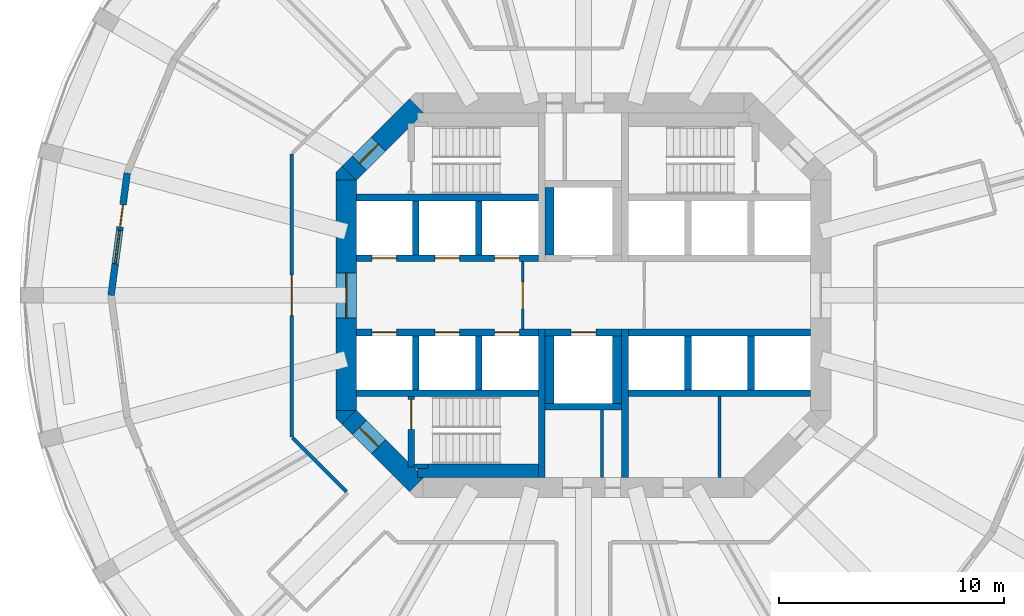
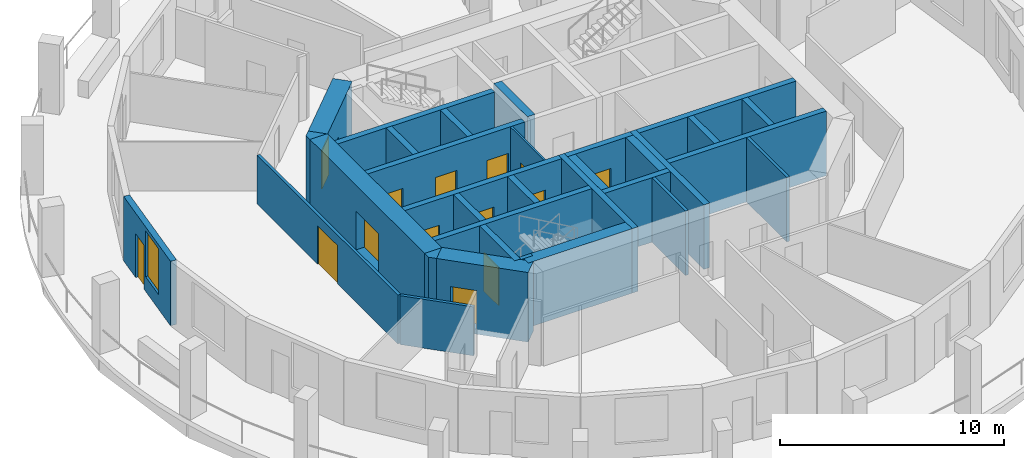
# One storey, part 3 of 8: 33 walls, 14 doors, 1 window, 15 openings.
"""IFC4 building model written with IfcOpenShell, lengths in metres."""

from ifc_helpers import new_model, si_unit, direction, frame, frame_2d, origin, place, context, subcontext, project, spatial, polyline, rectangle, outline, extrude, material, layer, layer_set, type_object, element, fill, save


model = new_model("IFC4")

# Units and contexts
model_context = context("Model", 3, precision=1e-05, world=origin(), true_north=direction((0.0, 1.0)))
body_context = subcontext(model_context, "Body", "Model", "MODEL_VIEW")
ifc_project = project(units=[si_unit("LENGTHUNIT", "METRE"), si_unit("AREAUNIT", "SQUARE_METRE"), si_unit("VOLUMEUNIT", "CUBIC_METRE"), si_unit("PLANEANGLEUNIT", "RADIAN"), si_unit("MASSUNIT", "GRAM", prefix="KILO")], contexts=[model_context])

# Site, building, storey
site_placement = place(None, origin())
site = spatial("IfcSite", under=ifc_project, at=site_placement, CompositionType="ELEMENT")
building_placement = place(site_placement, origin())
building = spatial("IfcBuilding", under=site, at=building_placement, Name="Torre Triforio", CompositionType="ELEMENT")
storey_placement = place(building_placement, frame((0.0, 0.0, 127.60009765625)))
storey = spatial("IfcBuildingStorey", under=building, at=storey_placement, Name="L28", CompositionType="ELEMENT", Elevation=127.60009765625)

# Walls
ifc_material_1 = material(Name="Concrete C60", Category="concrete")
ifc_layer_1 = layer(ifc_material_1, 0.300048828125)
ifc_layer_set_1 = layer_set([ifc_layer_1], Name="Concrete C60")
wall_type_1 = type_object("IfcWallType", Name="Core wall 300 mm C60 EI 120", PredefinedType="SHEAR", material=ifc_layer_set_1)
for number, where, z_axis, x_axis, name in (
    (1, (-1.85009765625, -8.10009765625, 0.0), (0.0, 0.0, 1.0), (0.0, 1.0, 0.0), "Core wall"),
    (2, (1.85009765625, -8.10009765625, 0.0), (0.0, 0.0, 1.0), (0.0, 1.0, 0.0), "Core wall"),
):
    element("IfcWall", number, at=place(storey_placement, frame(where, z_axis=z_axis, x_axis=x_axis)), inside=storey, type_object=wall_type_1, Name=name, PredefinedType="SHEAR", context=body_context, shape_type="SweptSolid", body=[
        extrude(rectangle(XDim=6.60009765625, YDim=0.300048828125, at=frame_2d((3.300048828125, 0.0))), origin(), (0.0, 0.0, 1.0), 3.52001953125),
    ])

# Wall, opening, door
ifc_layer_2 = layer(ifc_material_1, 0.89990234375)
ifc_layer_set_2 = layer_set([ifc_layer_2], Name="Concrete C60")
wall_type_2 = type_object("IfcWallType", Name="Core wall 900 mm C60 EI 120", PredefinedType="SHEAR", material=ifc_layer_set_2)
wall_1_placement = place(storey_placement, frame((-10.550048828125, -5.1298828125, -0.280029296875), z_axis=(0.0, 0.0, 1.0), x_axis=(0.0, 1.0, 0.0)))
wall_1 = element("IfcWall", 3, at=wall_1_placement, inside=storey, type_object=wall_type_2, Name="Core wall", PredefinedType="SHEAR", context=body_context, shape_type="SweptSolid", body=[
    extrude(rectangle(XDim=10.259765625, YDim=0.89990234375, at=frame_2d((5.1298828125, 0.0))), origin(), (0.0, 0.0, 1.0), 3.800048828125),
])
opening_1_placement = place(wall_1_placement, frame((4.1298828125, 0.0, 0.280029296875)))
opening_1 = element("IfcOpeningElement", 4, at=opening_1_placement, cuts=wall_1, Name="Opening W-RING", PredefinedType="OPENING", context=body_context, shape_type="SweptSolid", body=[
    extrude(rectangle(XDim=2.0, YDim=2.10009765625, at=frame_2d((1.0, 1.050048828125))), frame((0.0, 0.4599609375, 0.0), z_axis=(0.0, -1.0, 0.0), x_axis=(1.0, 0.0, 0.0)), (0.0, 0.0, 1.0), 0.919921875),
])
ifc_material_2 = material(Name="Hollow metal fire door leaf")
door_type_1 = type_object("IfcDoorType", Name="Lobby door 2000 x 2100 EI 60", OperationType="DOUBLE_DOOR_SINGLE_SWING", PredefinedType="DOOR", material=ifc_material_2)
door_1_placement = place(opening_1_placement, origin())
door_1 = element("IfcDoor", 5, at=door_1_placement, inside=storey, type_object=door_type_1, Name="Core door W-RING", OperationType="DOUBLE_DOOR_SINGLE_SWING", OverallHeight=2.10009765625, OverallWidth=2.0, PredefinedType="DOOR", context=body_context, shape_type="SweptSolid", body=[
    extrude(rectangle(XDim=2.0, YDim=2.10009765625, at=frame_2d((1.0, 1.050048828125))), frame((0.0, 0.02490234375, 0.0), z_axis=(0.0, -1.0, 0.0), x_axis=(1.0, 0.0, 0.0)), (0.0, 0.0, 1.0), 0.050048828125),
])
fill(opening_1, door_1)

wall_2_placement = place(storey_placement, frame((-10.418212890625, 5.418212890625, -0.280029296875), z_axis=(0.0, 0.0, 1.0), x_axis=(0.707106781187, 0.707106781187, 0.0)))
wall_2 = element("IfcWall", 6, at=wall_2_placement, inside=storey, type_object=wall_type_2, Name="Core wall", PredefinedType="SHEAR", context=body_context, shape_type="SweptSolid", body=[
    extrude(rectangle(XDim=4.24267578125, YDim=0.89990234375, at=frame_2d((2.121337890625, 0.0))), origin(), (0.0, 0.0, 1.0), 3.800048828125),
])
opening_2_placement = place(wall_2_placement, frame((0.64990234375, 0.0, 0.280029296875)))
opening_2 = element("IfcOpeningElement", 7, at=opening_2_placement, cuts=wall_2, Name="Opening ST1-EXIT", PredefinedType="OPENING", context=body_context, shape_type="SweptSolid", body=[
    extrude(rectangle(XDim=1.199951171875, YDim=2.10009765625, at=frame_2d((0.60009765625, 1.050048828125))), frame((0.0, 0.4599609375, 0.0), z_axis=(0.0, -1.0, 0.0), x_axis=(1.0, 0.0, 0.0)), (0.0, 0.0, 1.0), 0.919921875),
])
door_type_2 = type_object("IfcDoorType", Name="Stair lobby door 1200 x 2100 EI 60", OperationType="NOTDEFINED", PredefinedType="DOOR", material=ifc_material_2)
door_2_placement = place(opening_2_placement, origin())
door_2 = element("IfcDoor", 8, at=door_2_placement, inside=storey, type_object=door_type_2, Name="Core door ST1-EXIT", OperationType="SINGLE_SWING_RIGHT", OverallHeight=2.10009765625, OverallWidth=1.199951171875, PredefinedType="DOOR", context=body_context, shape_type="SweptSolid", body=[
    extrude(rectangle(XDim=1.199951171875, YDim=2.10009765625, at=frame_2d((0.60009765625, 1.050048828125))), frame((0.0, 0.02490234375, 0.0), z_axis=(0.0, -1.0, 0.0), x_axis=(1.0, 0.0, 0.0)), (0.0, 0.0, 1.0), 0.050048828125),
])
fill(opening_2, door_2)

wall_3_placement = place(storey_placement, frame((-7.418212890625, -8.418212890625, -0.280029296875), z_axis=(0.0, 0.0, 1.0), x_axis=(-0.707106781187, 0.707106781187, 0.0)))
wall_3 = element("IfcWall", 9, at=wall_3_placement, inside=storey, type_object=wall_type_2, Name="Core wall", PredefinedType="SHEAR", context=body_context, shape_type="SweptSolid", body=[
    extrude(rectangle(XDim=4.24267578125, YDim=0.89990234375, at=frame_2d((2.121337890625, 0.0))), origin(), (0.0, 0.0, 1.0), 3.800048828125),
])
opening_3_placement = place(wall_3_placement, frame((2.392578125, 0.0, 0.280029296875)))
opening_3 = element("IfcOpeningElement", 10, at=opening_3_placement, cuts=wall_3, Name="Opening ST3-EXIT", PredefinedType="OPENING", context=body_context, shape_type="SweptSolid", body=[
    extrude(rectangle(XDim=1.199951171875, YDim=2.10009765625, at=frame_2d((0.60009765625, 1.050048828125))), frame((0.0, 0.4599609375, 0.0), z_axis=(0.0, -1.0, 0.0), x_axis=(1.0, 0.0, 0.0)), (0.0, 0.0, 1.0), 0.919921875),
])
door_3_placement = place(opening_3_placement, origin())
door_3 = element("IfcDoor", 11, at=door_3_placement, inside=storey, type_object=door_type_2, Name="Core door ST3-EXIT", OperationType="SINGLE_SWING_RIGHT", OverallHeight=2.10009765625, OverallWidth=1.199951171875, PredefinedType="DOOR", context=body_context, shape_type="SweptSolid", body=[
    extrude(rectangle(XDim=1.199951171875, YDim=2.10009765625, at=frame_2d((0.60009765625, 1.050048828125))), frame((0.0, 0.02490234375, 0.0), z_axis=(0.0, -1.0, 0.0), x_axis=(1.0, 0.0, 0.0)), (0.0, 0.0, 1.0), 0.050048828125),
])
fill(opening_3, door_3)

# Walls
wall_4_placement = place(storey_placement, frame((0.0, 0.0, -0.280029296875)))
element("IfcWall", 12, at=wall_4_placement, inside=storey, type_object=wall_type_2, Name="Core wall", PredefinedType="SHEAR", context=body_context, shape_type="SweptSolid", body=[
    extrude(outline(polyline([(-11.0, -5.472900390625), (-11.0, -5.1298828125), (-10.1298828125, -5.1298828125), (-10.736328125, -5.736328125), (-11.0, -5.472900390625)])), origin(), (0.0, 0.0, 1.0), 3.800048828125),
])
wall_5_placement = place(storey_placement, frame((0.0, 0.0, -0.280029296875)))
element("IfcWall", 13, at=wall_5_placement, inside=storey, type_object=wall_type_2, Name="Core wall", PredefinedType="SHEAR", context=body_context, shape_type="SweptSolid", body=[
    extrude(outline(polyline([(-10.736328125, 5.736328125), (-10.1298828125, 5.1298828125), (-11.0, 5.1298828125), (-11.0, 5.472900390625), (-10.736328125, 5.736328125)])), origin(), (0.0, 0.0, 1.0), 3.800048828125),
])
ifc_material_3 = material(Name="Plasterboard on metal studs")
ifc_layer_3 = layer(ifc_material_3, 0.14990234375)
ifc_layer_set_3 = layer_set([ifc_layer_3], Name="Plasterboard on metal studs")
wall_type_3 = type_object("IfcWallType", Name="Corridor and tenancy wall 150 mm EI 60", PredefinedType="PARTITIONING", material=ifc_layer_set_3)
wall_6_placement = place(storey_placement, frame((-10.534423828125, -8.7314453125, 0.0), z_axis=(0.0, 0.0, 1.0), x_axis=(-0.707106781187, 0.707106781187, 0.0)))
element("IfcWall", 14, at=wall_6_placement, inside=storey, type_object=wall_type_3, Name="Partition 3", PredefinedType="PARTITIONING", context=body_context, shape_type="SweptSolid", body=[
    extrude(rectangle(XDim=3.399169921875, YDim=0.14990234375, at=frame_2d((1.69970703125, 0.0))), origin(), (0.0, 0.0, 1.0), 2.669921875),
])

# Wall, opening, door
wall_7_placement = place(storey_placement, frame((-12.97509765625, -6.291015625, 0.0), z_axis=(0.0, 0.0, 1.0), x_axis=(0.0, 1.0, 0.0)))
wall_7 = element("IfcWall", 15, at=wall_7_placement, inside=storey, type_object=wall_type_3, Name="Partition 4", PredefinedType="PARTITIONING", context=body_context, shape_type="SweptSolid", body=[
    extrude(rectangle(XDim=12.58203125, YDim=0.14990234375, at=frame_2d((6.291015625, 0.0))), origin(), (0.0, 0.0, 1.0), 2.669921875),
])
opening_4_placement = place(wall_7_placement, frame((5.390869140625, 0.0, 0.0)))
opening_4 = element("IfcOpeningElement", 16, at=opening_4_placement, cuts=wall_7, Name="Opening D2-01", PredefinedType="OPENING", context=body_context, shape_type="SweptSolid", body=[
    extrude(rectangle(XDim=1.800048828125, YDim=2.10009765625, at=frame_2d((0.89990234375, 1.050048828125))), frame((0.0, 0.0849609375, 0.0), z_axis=(0.0, -1.0, 0.0), x_axis=(1.0, 0.0, 0.0)), (0.0, 0.0, 1.0), 0.169921875),
])
ifc_material_4 = material(Name="Timber", Category="wood")
door_type_3 = type_object("IfcDoorType", Name="Door 1800 x 2100 double leaf EI 30", OperationType="DOUBLE_DOOR_SINGLE_SWING", PredefinedType="DOOR", material=ifc_material_4)
door_4_placement = place(opening_4_placement, origin())
door_4 = element("IfcDoor", 17, at=door_4_placement, inside=storey, type_object=door_type_3, Name="Door D2-01", OperationType="DOUBLE_DOOR_SINGLE_SWING", OverallHeight=2.10009765625, OverallWidth=1.800048828125, PredefinedType="DOOR", context=body_context, shape_type="SweptSolid", body=[
    extrude(rectangle(XDim=1.800048828125, YDim=2.10009765625, at=frame_2d((0.89990234375, 1.050048828125))), frame((0.0, 0.02490234375, 0.0), z_axis=(0.0, -1.0, 0.0), x_axis=(1.0, 0.0, 0.0)), (0.0, 0.0, 1.0), 0.050048828125),
])
fill(opening_4, door_4)

ifc_material_5 = material(Name="Block and board partition")
ifc_layer_4 = layer(ifc_material_5, 0.10009765625)
ifc_layer_set_4 = layer_set([ifc_layer_4], Name="Block and board partition")
wall_type_4 = type_object("IfcWallType", Name="Partition 100 mm EI 120", PredefinedType="PARTITIONING", material=ifc_layer_set_4)
wall_8_placement = place(storey_placement, frame((-2.699951171875, -1.5, 0.0), z_axis=(0.0, 0.0, 1.0), x_axis=(0.0, 1.0, 0.0)))
wall_8 = element("IfcWall", 18, at=wall_8_placement, inside=storey, type_object=wall_type_4, Name="Partition", PredefinedType="PARTITIONING", context=body_context, shape_type="SweptSolid", body=[
    extrude(rectangle(XDim=3.0, YDim=0.10009765625, at=frame_2d((1.5, 0.0))), origin(), (0.0, 0.0, 1.0), 3.52001953125),
])
opening_5_placement = place(wall_8_placement, frame((0.89990234375, 0.0, 0.0)))
opening_5 = element("IfcOpeningElement", 19, at=opening_5_placement, cuts=wall_8, Name="Opening FF-W", PredefinedType="OPENING", context=body_context, shape_type="SweptSolid", body=[
    extrude(rectangle(XDim=1.199951171875, YDim=2.10009765625, at=frame_2d((0.60009765625, 1.050048828125))), frame((0.0, 0.06005859375, 0.0), z_axis=(0.0, -1.0, 0.0), x_axis=(1.0, 0.0, 0.0)), (0.0, 0.0, 1.0), 0.1201171875),
])
door_type_4 = type_object("IfcDoorType", Name="Fire-fighting lobby door 1200 x 2100 EI 60", OperationType="NOTDEFINED", PredefinedType="DOOR", material=ifc_material_2)
door_5_placement = place(opening_5_placement, origin())
door_5 = element("IfcDoor", 20, at=door_5_placement, inside=storey, type_object=door_type_4, Name="Core door FF-W", OperationType="SINGLE_SWING_RIGHT", OverallHeight=2.10009765625, OverallWidth=1.199951171875, PredefinedType="DOOR", context=body_context, shape_type="SweptSolid", body=[
    extrude(rectangle(XDim=1.199951171875, YDim=2.10009765625, at=frame_2d((0.60009765625, 1.050048828125))), frame((0.0, 0.02490234375, 0.0), z_axis=(0.0, -1.0, 0.0), x_axis=(1.0, 0.0, 0.0)), (0.0, 0.0, 1.0), 0.050048828125),
])
fill(opening_5, door_5)

# Walls
ifc_layer_5 = layer(ifc_material_5, 0.14990234375)
ifc_layer_set_5 = layer_set([ifc_layer_5], Name="Block and board partition")
wall_type_5 = type_object("IfcWallType", Name="Partition 150 mm", PredefinedType="PARTITIONING", material=ifc_layer_set_5)
wall_9_placement = place(storey_placement, frame((6.050048828125, -8.10009765625, 0.0), z_axis=(0.0, 0.0, 1.0), x_axis=(0.0, 1.0, 0.0)))
element("IfcWall", 21, at=wall_9_placement, inside=storey, type_object=wall_type_5, Name="Partition", PredefinedType="PARTITIONING", context=body_context, shape_type="SweptSolid", body=[
    extrude(rectangle(XDim=3.60009765625, YDim=0.14990234375, at=frame_2d((1.800048828125, 0.0))), origin(), (0.0, 0.0, 1.0), 3.52001953125),
])
ifc_layer_6 = layer(ifc_material_5, 0.14990234375)
ifc_layer_set_6 = layer_set([ifc_layer_6], Name="Block and board partition")
wall_type_6 = type_object("IfcWallType", Name="Partition 150 mm EI 120", PredefinedType="PARTITIONING", material=ifc_layer_set_6)
wall_10_placement = place(storey_placement, frame((0.824951171875, -8.10009765625, 0.0), z_axis=(0.0, 0.0, 1.0), x_axis=(0.0, 1.0, 0.0)))
element("IfcWall", 22, at=wall_10_placement, inside=storey, type_object=wall_type_6, Name="Partition", PredefinedType="PARTITIONING", context=body_context, shape_type="SweptSolid", body=[
    extrude(rectangle(XDim=3.0, YDim=0.14990234375, at=frame_2d((1.5, 0.0))), origin(), (0.0, 0.0, 1.0), 3.52001953125),
])
ifc_layer_7 = layer(ifc_material_1, 0.300048828125)
ifc_layer_set_7 = layer_set([ifc_layer_7], Name="Concrete C60")
wall_type_7 = type_object("IfcWallType", Name="Shaft wall 300 mm C60 EI 120", PredefinedType="SOLIDWALL", material=ifc_layer_set_7)
for number, where, z_axis, x_axis, name in (
    (23, (-10.10009765625, 4.35009765625, 0.0), (0.0, 0.0, 1.0), (1.0, 0.0, 0.0), "Shaft wall"),
    (24, (-10.10009765625, -4.35009765625, 0.0), (0.0, 0.0, 1.0), (1.0, 0.0, 0.0), "Shaft wall"),
    (25, (2.0, -4.35009765625, 0.0), (0.0, 0.0, 1.0), (1.0, 0.0, 0.0), "Shaft wall"),
):
    element("IfcWall", number, at=place(storey_placement, frame(where, z_axis=z_axis, x_axis=x_axis)), inside=storey, type_object=wall_type_7, Name=name, PredefinedType="SOLIDWALL", context=body_context, shape_type="SweptSolid", body=[
        extrude(rectangle(XDim=8.10009765625, YDim=0.300048828125, at=frame_2d((4.050048828125, 0.0))), origin(), (0.0, 0.0, 1.0), 3.52001953125),
    ])

# Wall, openings, doors
wall_11_placement = place(storey_placement, frame((-10.10009765625, 1.64990234375, 0.0), z_axis=(0.0, 0.0, 1.0), x_axis=(1.0, 0.0, 0.0)))
wall_11 = element("IfcWall", 26, at=wall_11_placement, inside=storey, type_object=wall_type_7, Name="Shaft wall", PredefinedType="SOLIDWALL", context=body_context, shape_type="SweptSolid", body=[
    extrude(rectangle(XDim=8.10009765625, YDim=0.300048828125, at=frame_2d((4.050048828125, 0.0))), origin(), (0.0, 0.0, 1.0), 3.52001953125),
])
opening_6_placement = place(wall_11_placement, frame((0.699951171875, 0.0, 0.0)))
opening_6 = element("IfcOpeningElement", 27, at=opening_6_placement, cuts=wall_11, Name="Opening LD", PredefinedType="OPENING", context=body_context, shape_type="SweptSolid", body=[
    extrude(rectangle(XDim=1.10009765625, YDim=2.10009765625, at=frame_2d((0.550048828125, 1.050048828125))), frame((0.0, 0.159912109375, 0.0), z_axis=(0.0, -1.0, 0.0), x_axis=(1.0, 0.0, 0.0)), (0.0, 0.0, 1.0), 0.320068359375),
])
opening_7_placement = place(wall_11_placement, frame((3.5, 0.0, 0.0)))
opening_7 = element("IfcOpeningElement", 28, at=opening_7_placement, cuts=wall_11, Name="Opening LD", PredefinedType="OPENING", context=body_context, shape_type="SweptSolid", body=[
    extrude(rectangle(XDim=1.10009765625, YDim=2.10009765625, at=frame_2d((0.550048828125, 1.050048828125))), frame((0.0, 0.159912109375, 0.0), z_axis=(0.0, -1.0, 0.0), x_axis=(1.0, 0.0, 0.0)), (0.0, 0.0, 1.0), 0.320068359375),
])
opening_8_placement = place(wall_11_placement, frame((6.14990234375, 0.0, 0.0)))
opening_8 = element("IfcOpeningElement", 29, at=opening_8_placement, cuts=wall_11, Name="Opening LD", PredefinedType="OPENING", context=body_context, shape_type="SweptSolid", body=[
    extrude(rectangle(XDim=1.10009765625, YDim=2.10009765625, at=frame_2d((0.550048828125, 1.050048828125))), frame((0.0, 0.159912109375, 0.0), z_axis=(0.0, -1.0, 0.0), x_axis=(1.0, 0.0, 0.0)), (0.0, 0.0, 1.0), 0.320068359375),
])
door_type_5 = type_object("IfcDoorType", Name="Landing door 1100 x 2100 EI 60", OperationType="DOUBLE_DOOR_SLIDING", PredefinedType="DOOR", material=ifc_material_2)
door_6_placement = place(opening_6_placement, origin())
door_6 = element("IfcDoor", 30, at=door_6_placement, inside=storey, type_object=door_type_5, Name="Landing door LR1", OperationType="DOUBLE_DOOR_SLIDING", OverallHeight=2.10009765625, OverallWidth=1.10009765625, PredefinedType="DOOR", context=body_context, shape_type="SweptSolid", body=[
    extrude(rectangle(XDim=1.10009765625, YDim=2.10009765625, at=frame_2d((0.550048828125, 1.050048828125))), frame((0.0, 0.02490234375, 0.0), z_axis=(0.0, -1.0, 0.0), x_axis=(1.0, 0.0, 0.0)), (0.0, 0.0, 1.0), 0.050048828125),
])
fill(opening_6, door_6)
door_7_placement = place(opening_7_placement, origin())
door_7 = element("IfcDoor", 31, at=door_7_placement, inside=storey, type_object=door_type_5, Name="Landing door LR2", OperationType="DOUBLE_DOOR_SLIDING", OverallHeight=2.10009765625, OverallWidth=1.10009765625, PredefinedType="DOOR", context=body_context, shape_type="SweptSolid", body=[
    extrude(rectangle(XDim=1.10009765625, YDim=2.10009765625, at=frame_2d((0.550048828125, 1.050048828125))), frame((0.0, 0.02490234375, 0.0), z_axis=(0.0, -1.0, 0.0), x_axis=(1.0, 0.0, 0.0)), (0.0, 0.0, 1.0), 0.050048828125),
])
fill(opening_7, door_7)
door_8_placement = place(opening_8_placement, origin())
door_8 = element("IfcDoor", 32, at=door_8_placement, inside=storey, type_object=door_type_5, Name="Landing door LR3", OperationType="DOUBLE_DOOR_SLIDING", OverallHeight=2.10009765625, OverallWidth=1.10009765625, PredefinedType="DOOR", context=body_context, shape_type="SweptSolid", body=[
    extrude(rectangle(XDim=1.10009765625, YDim=2.10009765625, at=frame_2d((0.550048828125, 1.050048828125))), frame((0.0, 0.02490234375, 0.0), z_axis=(0.0, -1.0, 0.0), x_axis=(1.0, 0.0, 0.0)), (0.0, 0.0, 1.0), 0.050048828125),
])
fill(opening_8, door_8)

wall_12_placement = place(storey_placement, frame((-10.10009765625, -1.64990234375, 0.0), z_axis=(0.0, 0.0, 1.0), x_axis=(1.0, 0.0, 0.0)))
wall_12 = element("IfcWall", 33, at=wall_12_placement, inside=storey, type_object=wall_type_7, Name="Shaft wall", PredefinedType="SOLIDWALL", context=body_context, shape_type="SweptSolid", body=[
    extrude(rectangle(XDim=8.10009765625, YDim=0.300048828125, at=frame_2d((4.050048828125, 0.0))), origin(), (0.0, 0.0, 1.0), 3.52001953125),
])
opening_9_placement = place(wall_12_placement, frame((0.699951171875, 0.0, 0.0)))
opening_9 = element("IfcOpeningElement", 34, at=opening_9_placement, cuts=wall_12, Name="Opening LD", PredefinedType="OPENING", context=body_context, shape_type="SweptSolid", body=[
    extrude(rectangle(XDim=1.10009765625, YDim=2.10009765625, at=frame_2d((0.550048828125, 1.050048828125))), frame((0.0, 0.159912109375, 0.0), z_axis=(0.0, -1.0, 0.0), x_axis=(1.0, 0.0, 0.0)), (0.0, 0.0, 1.0), 0.320068359375),
])
opening_10_placement = place(wall_12_placement, frame((3.5, 0.0, 0.0)))
opening_10 = element("IfcOpeningElement", 35, at=opening_10_placement, cuts=wall_12, Name="Opening LD", PredefinedType="OPENING", context=body_context, shape_type="SweptSolid", body=[
    extrude(rectangle(XDim=1.10009765625, YDim=2.10009765625, at=frame_2d((0.550048828125, 1.050048828125))), frame((0.0, 0.159912109375, 0.0), z_axis=(0.0, -1.0, 0.0), x_axis=(1.0, 0.0, 0.0)), (0.0, 0.0, 1.0), 0.320068359375),
])
opening_11_placement = place(wall_12_placement, frame((6.14990234375, 0.0, 0.0)))
opening_11 = element("IfcOpeningElement", 36, at=opening_11_placement, cuts=wall_12, Name="Opening LD", PredefinedType="OPENING", context=body_context, shape_type="SweptSolid", body=[
    extrude(rectangle(XDim=1.10009765625, YDim=2.10009765625, at=frame_2d((0.550048828125, 1.050048828125))), frame((0.0, 0.159912109375, 0.0), z_axis=(0.0, -1.0, 0.0), x_axis=(1.0, 0.0, 0.0)), (0.0, 0.0, 1.0), 0.320068359375),
])
door_9_placement = place(opening_9_placement, origin())
door_9 = element("IfcDoor", 37, at=door_9_placement, inside=storey, type_object=door_type_5, Name="Landing door LR4", OperationType="DOUBLE_DOOR_SLIDING", OverallHeight=2.10009765625, OverallWidth=1.10009765625, PredefinedType="DOOR", context=body_context, shape_type="SweptSolid", body=[
    extrude(rectangle(XDim=1.10009765625, YDim=2.10009765625, at=frame_2d((0.550048828125, 1.050048828125))), frame((0.0, 0.02490234375, 0.0), z_axis=(0.0, -1.0, 0.0), x_axis=(1.0, 0.0, 0.0)), (0.0, 0.0, 1.0), 0.050048828125),
])
fill(opening_9, door_9)
door_10_placement = place(opening_10_placement, origin())
door_10 = element("IfcDoor", 38, at=door_10_placement, inside=storey, type_object=door_type_5, Name="Landing door LR5", OperationType="DOUBLE_DOOR_SLIDING", OverallHeight=2.10009765625, OverallWidth=1.10009765625, PredefinedType="DOOR", context=body_context, shape_type="SweptSolid", body=[
    extrude(rectangle(XDim=1.10009765625, YDim=2.10009765625, at=frame_2d((0.550048828125, 1.050048828125))), frame((0.0, 0.02490234375, 0.0), z_axis=(0.0, -1.0, 0.0), x_axis=(1.0, 0.0, 0.0)), (0.0, 0.0, 1.0), 0.050048828125),
])
fill(opening_10, door_10)
door_11_placement = place(opening_11_placement, origin())
door_11 = element("IfcDoor", 39, at=door_11_placement, inside=storey, type_object=door_type_5, Name="Landing door LR6", OperationType="DOUBLE_DOOR_SLIDING", OverallHeight=2.10009765625, OverallWidth=1.10009765625, PredefinedType="DOOR", context=body_context, shape_type="SweptSolid", body=[
    extrude(rectangle(XDim=1.10009765625, YDim=2.10009765625, at=frame_2d((0.550048828125, 1.050048828125))), frame((0.0, 0.02490234375, 0.0), z_axis=(0.0, -1.0, 0.0), x_axis=(1.0, 0.0, 0.0)), (0.0, 0.0, 1.0), 0.050048828125),
])
fill(opening_11, door_11)

# Walls
wall_13_placement = place(storey_placement, frame((2.0, -1.64990234375, 0.0), z_axis=(0.0, 0.0, 1.0), x_axis=(1.0, 0.0, 0.0)))
element("IfcWall", 40, at=wall_13_placement, inside=storey, type_object=wall_type_7, Name="Shaft wall", PredefinedType="SOLIDWALL", context=body_context, shape_type="SweptSolid", body=[
    extrude(rectangle(XDim=8.10009765625, YDim=0.300048828125, at=frame_2d((4.050048828125, 0.0))), origin(), (0.0, 0.0, 1.0), 3.52001953125),
])
for number, where, z_axis, x_axis, name in (
    (41, (-7.449951171875, 1.800048828125, 0.0), (0.0, 0.0, 1.0), (0.0, 1.0, 0.0), "Shaft wall"),
    (42, (-7.449951171875, -4.199951171875, 0.0), (0.0, 0.0, 1.0), (0.0, 1.0, 0.0), "Shaft wall"),
    (43, (-4.64990234375, 1.800048828125, 0.0), (0.0, 0.0, 1.0), (0.0, 1.0, 0.0), "Shaft wall"),
    (44, (-4.64990234375, -4.199951171875, 0.0), (0.0, 0.0, 1.0), (0.0, 1.0, 0.0), "Shaft wall"),
    (45, (4.64990234375, -4.199951171875, 0.0), (0.0, 0.0, 1.0), (0.0, 1.0, 0.0), "Shaft wall"),
    (46, (7.449951171875, -4.199951171875, 0.0), (0.0, 0.0, 1.0), (0.0, 1.0, 0.0), "Shaft wall"),
):
    element("IfcWall", number, at=place(storey_placement, frame(where, z_axis=z_axis, x_axis=x_axis)), inside=storey, type_object=wall_type_7, Name=name, PredefinedType="SOLIDWALL", context=body_context, shape_type="SweptSolid", body=[
        extrude(rectangle(XDim=2.39990234375, YDim=0.300048828125, at=frame_2d((1.199951171875, 0.0))), origin(), (0.0, 0.0, 1.0), 3.52001953125),
    ])

# Wall, opening, door
wall_14_placement = place(storey_placement, frame((-1.699951171875, -1.64990234375, 0.0), z_axis=(0.0, 0.0, 1.0), x_axis=(1.0, 0.0, 0.0)))
wall_14 = element("IfcWall", 47, at=wall_14_placement, inside=storey, type_object=wall_type_7, Name="Shaft wall", PredefinedType="SOLIDWALL", context=body_context, shape_type="SweptSolid", body=[
    extrude(rectangle(XDim=3.39990234375, YDim=0.300048828125, at=frame_2d((1.699951171875, 0.0))), origin(), (0.0, 0.0, 1.0), 3.52001953125),
])
opening_12_placement = place(wall_14_placement, frame((1.14990234375, 0.0, 0.0)))
opening_12 = element("IfcOpeningElement", 48, at=opening_12_placement, cuts=wall_14, Name="Opening LD", PredefinedType="OPENING", context=body_context, shape_type="SweptSolid", body=[
    extrude(rectangle(XDim=1.10009765625, YDim=2.10009765625, at=frame_2d((0.550048828125, 1.050048828125))), frame((0.0, 0.159912109375, 0.0), z_axis=(0.0, -1.0, 0.0), x_axis=(1.0, 0.0, 0.0)), (0.0, 0.0, 1.0), 0.320068359375),
])
door_12_placement = place(opening_12_placement, origin())
door_12 = element("IfcDoor", 49, at=door_12_placement, inside=storey, type_object=door_type_5, Name="Landing door FFL2", OperationType="DOUBLE_DOOR_SLIDING", OverallHeight=2.10009765625, OverallWidth=1.10009765625, PredefinedType="DOOR", context=body_context, shape_type="SweptSolid", body=[
    extrude(rectangle(XDim=1.10009765625, YDim=2.10009765625, at=frame_2d((0.550048828125, 1.050048828125))), frame((0.0, 0.02490234375, 0.0), z_axis=(0.0, -1.0, 0.0), x_axis=(1.0, 0.0, 0.0)), (0.0, 0.0, 1.0), 0.050048828125),
])
fill(opening_12, door_12)

# Walls
wall_15_placement = place(storey_placement, frame((-1.699951171875, -4.949951171875, 0.0), z_axis=(0.0, 0.0, 1.0), x_axis=(1.0, 0.0, 0.0)))
element("IfcWall", 50, at=wall_15_placement, inside=storey, type_object=wall_type_7, Name="Shaft wall", PredefinedType="SOLIDWALL", context=body_context, shape_type="SweptSolid", body=[
    extrude(rectangle(XDim=3.39990234375, YDim=0.300048828125, at=frame_2d((1.699951171875, 0.0))), origin(), (0.0, 0.0, 1.0), 3.52001953125),
])
ifc_layer_8 = layer(ifc_material_1, 0.39990234375)
ifc_layer_set_8 = layer_set([ifc_layer_8], Name="Concrete C60")
wall_type_8 = type_object("IfcWallType", Name="Shaft wall 400 mm C60 EI 120", PredefinedType="SOLIDWALL", material=ifc_layer_set_8)
for number, where, z_axis, x_axis, name in (
    (51, (-1.5, 1.800048828125, 0.0), (0.0, 0.0, 1.0), (0.0, 1.0, 0.0), "Shaft wall"),
    (52, (-1.5, -4.800048828125, 0.0), (0.0, 0.0, 1.0), (0.0, 1.0, 0.0), "Shaft wall"),
    (53, (1.5, -4.800048828125, 0.0), (0.0, 0.0, 1.0), (0.0, 1.0, 0.0), "Shaft wall"),
):
    element("IfcWall", number, at=place(storey_placement, frame(where, z_axis=z_axis, x_axis=x_axis)), inside=storey, type_object=wall_type_8, Name=name, PredefinedType="SOLIDWALL", context=body_context, shape_type="SweptSolid", body=[
        extrude(rectangle(XDim=3.0, YDim=0.39990234375, at=frame_2d((1.5, 0.0))), origin(), (0.0, 0.0, 1.0), 3.52001953125),
    ])
ifc_layer_9 = layer(ifc_material_1, 0.199951171875)
ifc_layer_set_9 = layer_set([ifc_layer_9], Name="Concrete C60")
wall_type_9 = type_object("IfcWallType", Name="Stair wall 200 mm C60 EI 120", PredefinedType="SHEAR", material=ifc_layer_set_9)
wall_16_placement = place(storey_placement, frame((-7.5, -7.60009765625, 0.0), z_axis=(0.0, 0.0, 1.0), x_axis=(1.0, 0.0, 0.0)))
element("IfcWall", 54, at=wall_16_placement, inside=storey, type_object=wall_type_9, Name="Stair wall", PredefinedType="SHEAR", context=body_context, shape_type="SweptSolid", body=[
    extrude(rectangle(XDim=0.60009765625, YDim=0.199951171875, at=frame_2d((0.300048828125, 0.0))), origin(), (0.0, 0.0, 1.0), 3.52001953125),
])

# Wall, opening, door
ifc_layer_10 = layer(ifc_material_1, 0.300048828125)
ifc_layer_set_10 = layer_set([ifc_layer_10], Name="Concrete C60")
wall_type_10 = type_object("IfcWallType", Name="Stair wall 300 mm C60 EI 120", PredefinedType="SHEAR", material=ifc_layer_set_10)
wall_17_placement = place(storey_placement, frame((-7.64990234375, -7.639892578125, 0.0), z_axis=(0.0, 0.0, 1.0), x_axis=(0.0, 1.0, 0.0)))
wall_17 = element("IfcWall", 55, at=wall_17_placement, inside=storey, type_object=wall_type_10, Name="Stair wall", PredefinedType="SHEAR", context=body_context, shape_type="SweptSolid", body=[
    extrude(rectangle(XDim=3.139892578125, YDim=0.300048828125, at=frame_2d((1.56982421875, 0.0))), origin(), (0.0, 0.0, 1.0), 3.52001953125),
])
opening_13_placement = place(wall_17_placement, frame((1.679931640625, 0.0, 0.0)))
opening_13 = element("IfcOpeningElement", 56, at=opening_13_placement, cuts=wall_17, Name="Opening ST3-STA", PredefinedType="OPENING", context=body_context, shape_type="SweptSolid", body=[
    extrude(rectangle(XDim=1.320068359375, YDim=2.10009765625, at=frame_2d((0.66015625, 1.050048828125))), frame((0.0, 0.159912109375, 0.0), z_axis=(0.0, -1.0, 0.0), x_axis=(1.0, 0.0, 0.0)), (0.0, 0.0, 1.0), 0.320068359375),
])
door_type_6 = type_object("IfcDoorType", Name="Stair door 1320 x 2100 EI 90", OperationType="DOUBLE_DOOR_SINGLE_SWING", PredefinedType="DOOR", material=ifc_material_2)
door_13_placement = place(opening_13_placement, origin())
door_13 = element("IfcDoor", 57, at=door_13_placement, inside=storey, type_object=door_type_6, Name="Core door ST3-ST", OperationType="DOUBLE_DOOR_SINGLE_SWING", OverallHeight=2.10009765625, OverallWidth=1.320068359375, PredefinedType="DOOR", context=body_context, shape_type="SweptSolid", body=[
    extrude(rectangle(XDim=1.320068359375, YDim=2.10009765625, at=frame_2d((0.66015625, 1.050048828125))), frame((0.0, 0.02490234375, 0.0), z_axis=(0.0, -1.0, 0.0), x_axis=(1.0, 0.0, 0.0)), (0.0, 0.0, 1.0), 0.050048828125),
])
fill(opening_13, door_13)

# Wall
ifc_layer_11 = layer(ifc_material_1, 0.60009765625)
ifc_layer_set_11 = layer_set([ifc_layer_11], Name="Concrete C60")
wall_type_11 = type_object("IfcWallType", Name="Stair wall 600 mm C60 EI 120", PredefinedType="SHEAR", material=ifc_layer_set_11)
wall_18_placement = place(storey_placement, frame((-7.3701171875, -7.800048828125, 0.0), z_axis=(0.0, 0.0, 1.0), x_axis=(1.0, 0.0, 0.0)))
element("IfcWall", 58, at=wall_18_placement, inside=storey, type_object=wall_type_11, Name="Stair wall", PredefinedType="SHEAR", context=body_context, shape_type="SweptSolid", body=[
    extrude(rectangle(XDim=5.3701171875, YDim=0.60009765625, at=frame_2d((2.68505859375, 0.0))), origin(), (0.0, 0.0, 1.0), 3.52001953125),
])

# Wall, openings, door, window
ifc_material_6 = material(Name="Limestone cladding", Category="masonry")
ifc_layer_12 = layer(ifc_material_6, 0.10009765625)
ifc_material_7 = material(Name="Concrete C40", Category="concrete")
ifc_layer_13 = layer(ifc_material_7, 0.199951171875)
ifc_layer_set_12 = layer_set([ifc_layer_12, ifc_layer_13], Name="Limestone cladding / Concrete C40")
wall_type_12 = type_object("IfcWallType", Name="Stone-faced composite wall 300", PredefinedType="STANDARD", material=ifc_layer_set_12)
wall_19_placement = place(storey_placement, frame((-20.284423828125, 5.435302734375, 0.0), z_axis=(0.0, 0.0, 1.0), x_axis=(-0.130527087244, -0.991444743541, 0.0)))
wall_19 = element("IfcWall", 59, at=wall_19_placement, inside=storey, type_object=wall_type_12, Name="External wall L28 bay 12", PredefinedType="STANDARD", context=body_context, shape_type="SweptSolid", body=[
    extrude(rectangle(XDim=5.482177734375, YDim=0.300048828125, at=frame_2d((2.7412109375, 0.0))), origin(), (0.0, 0.0, 1.0), 3.52001953125),
])
opening_14_placement = place(wall_19_placement, frame((1.416015625, 0.0, 0.0)))
opening_14 = element("IfcOpeningElement", 60, at=opening_14_placement, cuts=wall_19, Name="Opening D2-D12", PredefinedType="OPENING", context=body_context, shape_type="SweptSolid", body=[
    extrude(rectangle(XDim=1.0, YDim=2.39990234375, at=frame_2d((0.5, 1.199951171875))), frame((0.0, 0.159912109375, 0.0), z_axis=(0.0, -1.0, 0.0), x_axis=(1.0, 0.0, 0.0)), (0.0, 0.0, 1.0), 0.320068359375),
])
opening_15_placement = place(wall_19_placement, frame((2.566162109375, 0.0, 0.800048828125)))
opening_15 = element("IfcOpeningElement", 61, at=opening_15_placement, cuts=wall_19, Name="Opening D2-W12A", PredefinedType="OPENING", context=body_context, shape_type="SweptSolid", body=[
    extrude(rectangle(XDim=1.5, YDim=2.5, at=frame_2d((0.75, 1.25))), frame((0.0, 0.159912109375, 0.0), z_axis=(0.0, -1.0, 0.0), x_axis=(1.0, 0.0, 0.0)), (0.0, 0.0, 1.0), 0.320068359375),
])
ifc_material_8 = material(Name="Aluminium frame with clear double glazing", Category="aluminium")
door_type_7 = type_object("IfcDoorType", Name="Loggia door 1000 x 2400", OperationType="NOTDEFINED", PredefinedType="DOOR", material=ifc_material_8)
door_14_placement = place(opening_14_placement, origin())
door_14 = element("IfcDoor", 62, at=door_14_placement, inside=storey, type_object=door_type_7, Name="Loggia door L28 bay 12", OperationType="SINGLE_SWING_LEFT", OverallHeight=2.39990234375, OverallWidth=1.0, PredefinedType="DOOR", context=body_context, shape_type="SweptSolid", body=[
    extrude(rectangle(XDim=1.0, YDim=2.39990234375, at=frame_2d((0.5, 1.199951171875))), frame((0.0, 0.02490234375, 0.0), z_axis=(0.0, -1.0, 0.0), x_axis=(1.0, 0.0, 0.0)), (0.0, 0.0, 1.0), 0.050048828125),
])
fill(opening_14, door_14)
window_type = type_object("IfcWindowType", Name="Side window 1500 x 2500", PartitioningType="SINGLE_PANEL", PredefinedType="WINDOW", material=ifc_material_8)
window_placement = place(opening_15_placement, origin())
window = element("IfcWindow", 63, at=window_placement, inside=storey, type_object=window_type, Name="Side window EWN13 L28 bay 12", OverallHeight=2.5, OverallWidth=1.5, PartitioningType="SINGLE_PANEL", PredefinedType="WINDOW", context=body_context, shape_type="SweptSolid", body=[
    extrude(rectangle(XDim=1.5, YDim=2.5, at=frame_2d((0.75, 1.25))), frame((0.0, 0.030029296875, 0.0), z_axis=(0.0, -1.0, 0.0), x_axis=(1.0, 0.0, 0.0)), (0.0, 0.0, 1.0), 0.06005859375),
])
fill(opening_15, window)

save(model, "model.ifc")
